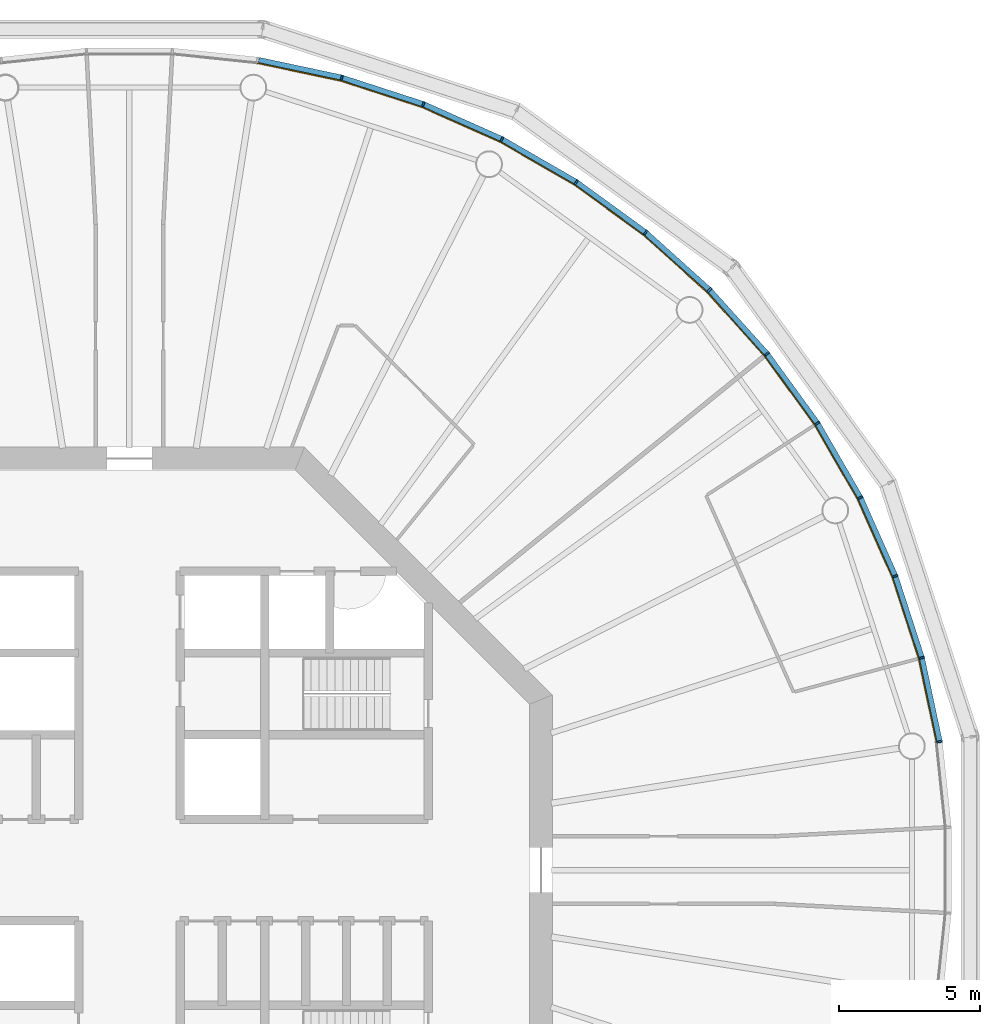
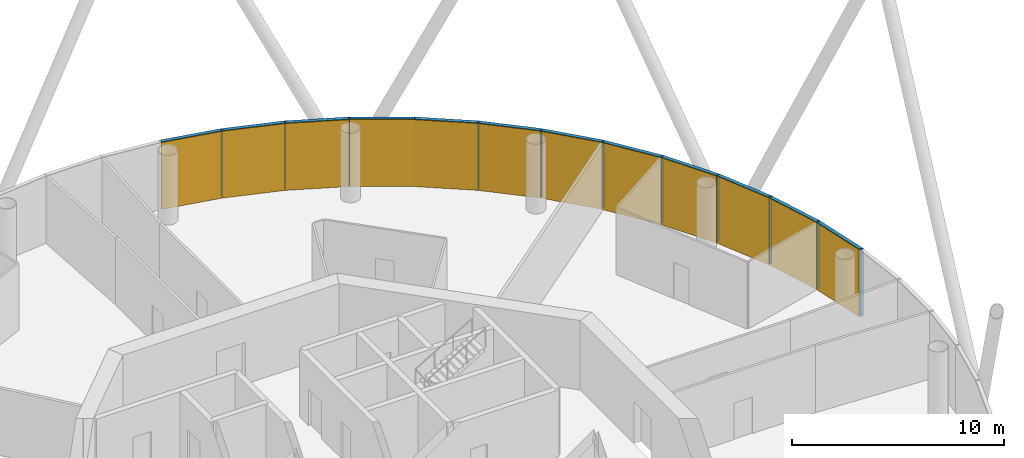
# One storey, part 12 of 13: 24 members, 4 curtain walls.
"""IFC4 building model written with IfcOpenShell, lengths in metres."""

from ifc_helpers import new_model, si_unit, direction, frame, origin, origin_2d, place, context, subcontext, project, spatial, polyline, rectangle, outline, extrude, material, layer, layer_set, material_profile, profile_set, type_object, element, aggregate, save


model = new_model("IFC4")

# Units and contexts
model_context = context("Model", 3, precision=1e-05, world=origin(), true_north=direction((0.0, 1.0)))
body_context = subcontext(model_context, "Body", "Model", "MODEL_VIEW")
ifc_project = project(units=[si_unit("LENGTHUNIT", "METRE"), si_unit("AREAUNIT", "SQUARE_METRE"), si_unit("VOLUMEUNIT", "CUBIC_METRE"), si_unit("PLANEANGLEUNIT", "RADIAN"), si_unit("MASSUNIT", "GRAM", prefix="KILO")], contexts=[model_context])

# Member
ifc_material_1 = material(Name="Anodised aluminium", Category="aluminium")
ifc_material_profile_1 = material_profile(ifc_material_1, rectangle(XDim=0.06494140625, YDim=0.195068359375, at=origin_2d()), Name="Mullion 65 x 195 mm anodised aluminium")
ifc_profile_set_1 = profile_set([ifc_material_profile_1], Name="Anodised aluminium")
member_type_1 = type_object("IfcMemberType", Name="Mullion 65 x 195 mm anodised aluminium", PredefinedType="MULLION", material=ifc_profile_set_1)
site_placement = place(None, origin())
building_placement = place(site_placement, origin())
storey_placement = place(building_placement, frame((0.0, 0.0, 310.0)))
member_1_placement = place(storey_placement, frame((118.7392578125, 84.5517578125, 0.0), z_axis=(0.0, 0.0, 1.0), x_axis=(-0.15643446504, 0.987688340595, 0.0)))
member_1 = element("IfcMember", 1, at=member_1_placement, type_object=member_type_1, Name="MULLION L71-00", PredefinedType="MULLION", context=body_context, shape_type="SweptSolid", body=[
    extrude(rectangle(XDim=0.06494140625, YDim=0.195068359375, at=origin_2d()), origin(), (0.0, 0.0, 1.0), 3.85009765625),
])

member_2_placement = place(storey_placement, frame((118.10595703125, 87.531005859375, 0.0), z_axis=(0.0, 0.0, 1.0), x_axis=(-0.258819045103, 0.965925826289, 0.0)))
member_2 = element("IfcMember", 2, at=member_2_placement, type_object=member_type_1, Name="MULLION L71-01", PredefinedType="MULLION", context=body_context, shape_type="SweptSolid", body=[
    extrude(rectangle(XDim=0.06494140625, YDim=0.195068359375, at=origin_2d()), origin(), (0.0, 0.0, 1.0), 3.85009765625),
])

member_3_placement = place(storey_placement, frame((117.164794921875, 90.427490234375, 0.0), z_axis=(0.0, 0.0, 1.0), x_axis=(-0.358367949545, 0.933580426497, 0.0)))
member_3 = element("IfcMember", 3, at=member_3_placement, type_object=member_type_1, Name="MULLION L71-02", PredefinedType="MULLION", context=body_context, shape_type="SweptSolid", body=[
    extrude(rectangle(XDim=0.06494140625, YDim=0.195068359375, at=origin_2d()), origin(), (0.0, 0.0, 1.0), 3.85009765625),
])

member_4_placement = place(storey_placement, frame((115.926025390625, 93.2099609375, 0.0), z_axis=(0.0, 0.0, 1.0), x_axis=(-0.45399049974, 0.891006524188, 0.0)))
member_4 = element("IfcMember", 4, at=member_4_placement, type_object=member_type_1, Name="MULLION L71-03", PredefinedType="MULLION", context=body_context, shape_type="SweptSolid", body=[
    extrude(rectangle(XDim=0.06494140625, YDim=0.195068359375, at=origin_2d()), origin(), (0.0, 0.0, 1.0), 3.85009765625),
])

member_5_placement = place(storey_placement, frame((114.4033203125, 95.84765625, 0.0), z_axis=(0.0, 0.0, 1.0), x_axis=(-0.544639035015, 0.838670567945, 0.0)))
member_5 = element("IfcMember", 5, at=member_5_placement, type_object=member_type_1, Name="MULLION L71-04", PredefinedType="MULLION", context=body_context, shape_type="SweptSolid", body=[
    extrude(rectangle(XDim=0.06494140625, YDim=0.195068359375, at=origin_2d()), origin(), (0.0, 0.0, 1.0), 3.85009765625),
])

member_6_placement = place(storey_placement, frame((112.613037109375, 98.311767578125, 0.0), z_axis=(0.0, 0.0, 1.0), x_axis=(-0.62932039105, 0.777145961457, 0.0)))
member_6 = element("IfcMember", 6, at=member_6_placement, type_object=member_type_1, Name="MULLION L71-05", PredefinedType="MULLION", context=body_context, shape_type="SweptSolid", body=[
    extrude(rectangle(XDim=0.06494140625, YDim=0.195068359375, at=origin_2d()), origin(), (0.0, 0.0, 1.0), 3.85009765625),
])

member_7_placement = place(storey_placement, frame((110.574951171875, 100.574951171875, 0.0), z_axis=(0.0, 0.0, 1.0), x_axis=(-0.707106781187, 0.707106781187, 0.0)))
member_7 = element("IfcMember", 7, at=member_7_placement, type_object=member_type_1, Name="MULLION L71-06", PredefinedType="MULLION", context=body_context, shape_type="SweptSolid", body=[
    extrude(rectangle(XDim=0.06494140625, YDim=0.195068359375, at=origin_2d()), origin(), (0.0, 0.0, 1.0), 3.85009765625),
])

member_8_placement = place(storey_placement, frame((108.311767578125, 102.613037109375, 0.0), z_axis=(0.0, 0.0, 1.0), x_axis=(-0.777145961457, 0.62932039105, 0.0)))
member_8 = element("IfcMember", 8, at=member_8_placement, type_object=member_type_1, Name="MULLION L71-07", PredefinedType="MULLION", context=body_context, shape_type="SweptSolid", body=[
    extrude(rectangle(XDim=0.06494140625, YDim=0.195068359375, at=origin_2d()), origin(), (0.0, 0.0, 1.0), 3.85009765625),
])

member_9_placement = place(storey_placement, frame((105.84765625, 104.4033203125, 0.0), z_axis=(0.0, 0.0, 1.0), x_axis=(-0.838670567945, 0.544639035015, 0.0)))
member_9 = element("IfcMember", 9, at=member_9_placement, type_object=member_type_1, Name="MULLION L71-08", PredefinedType="MULLION", context=body_context, shape_type="SweptSolid", body=[
    extrude(rectangle(XDim=0.06494140625, YDim=0.195068359375, at=origin_2d()), origin(), (0.0, 0.0, 1.0), 3.85009765625),
])

member_10_placement = place(storey_placement, frame((103.2099609375, 105.926025390625, 0.0), z_axis=(0.0, 0.0, 1.0), x_axis=(-0.891006524188, 0.45399049974, 0.0)))
member_10 = element("IfcMember", 10, at=member_10_placement, type_object=member_type_1, Name="MULLION L71-09", PredefinedType="MULLION", context=body_context, shape_type="SweptSolid", body=[
    extrude(rectangle(XDim=0.06494140625, YDim=0.195068359375, at=origin_2d()), origin(), (0.0, 0.0, 1.0), 3.85009765625),
])

member_11_placement = place(storey_placement, frame((100.427490234375, 107.164794921875, 0.0), z_axis=(0.0, 0.0, 1.0), x_axis=(-0.933580426497, 0.358367949545, 0.0)))
member_11 = element("IfcMember", 11, at=member_11_placement, type_object=member_type_1, Name="MULLION L71-10", PredefinedType="MULLION", context=body_context, shape_type="SweptSolid", body=[
    extrude(rectangle(XDim=0.06494140625, YDim=0.195068359375, at=origin_2d()), origin(), (0.0, 0.0, 1.0), 3.85009765625),
])

member_12_placement = place(storey_placement, frame((97.531005859375, 108.10595703125, 0.0), z_axis=(0.0, 0.0, 1.0), x_axis=(-0.965925826289, 0.258819045103, 0.0)))
member_12 = element("IfcMember", 12, at=member_12_placement, type_object=member_type_1, Name="MULLION L71-11", PredefinedType="MULLION", context=body_context, shape_type="SweptSolid", body=[
    extrude(rectangle(XDim=0.06494140625, YDim=0.195068359375, at=origin_2d()), origin(), (0.0, 0.0, 1.0), 3.85009765625),
])

ifc_material_2 = material(Name="Anodised aluminium", Category="aluminium")
ifc_material_profile_2 = material_profile(ifc_material_2, rectangle(XDim=0.195068359375, YDim=0.179931640625, at=origin_2d()), Name="Transom 180 x 195 mm anodised aluminium")
ifc_profile_set_2 = profile_set([ifc_material_profile_2], Name="Anodised aluminium")
member_type_2 = type_object("IfcMemberType", Name="Transom 180 x 195 mm anodised aluminium", PredefinedType="USERDEFINED", material=ifc_profile_set_2)
member_13_placement = place(storey_placement, frame((118.731689453125, 84.588623046875, 3.760009765625), z_axis=(-0.207940342877, 0.978141510112, 0.0), x_axis=(-0.978141510112, -0.207940342877, 0.0)))
member_13 = element("IfcMember", 13, at=member_13_placement, type_object=member_type_2, Name="TRANSOM L71-00", ObjectType="TRANSOM", PredefinedType="USERDEFINED", context=body_context, shape_type="SweptSolid", body=[
    extrude(rectangle(XDim=0.195068359375, YDim=0.179931640625, at=origin_2d()), origin(), (0.0, 0.0, 1.0), 2.970458984375),
])

member_14_placement = place(storey_placement, frame((118.094482421875, 87.56689453125, 3.760009765625), z_axis=(-0.309043326415, 0.951047960094, 0.0), x_axis=(-0.951047960094, -0.309043326415, 0.0)))
member_14 = element("IfcMember", 14, at=member_14_placement, type_object=member_type_2, Name="TRANSOM L71-01", ObjectType="TRANSOM", PredefinedType="USERDEFINED", context=body_context, shape_type="SweptSolid", body=[
    extrude(rectangle(XDim=0.195068359375, YDim=0.179931640625, at=origin_2d()), origin(), (0.0, 0.0, 1.0), 2.970458984375),
])

member_15_placement = place(storey_placement, frame((117.149658203125, 90.4619140625, 3.760009765625), z_axis=(-0.406725527369, 0.913550406593, 0.0), x_axis=(-0.913550406593, -0.406725527369, 0.0)))
member_15 = element("IfcMember", 15, at=member_15_placement, type_object=member_type_2, Name="TRANSOM L71-02", ObjectType="TRANSOM", PredefinedType="USERDEFINED", context=body_context, shape_type="SweptSolid", body=[
    extrude(rectangle(XDim=0.195068359375, YDim=0.179931640625, at=origin_2d()), origin(), (0.0, 0.0, 1.0), 2.970703125),
])

member_16_placement = place(storey_placement, frame((115.907470703125, 93.24267578125, 3.760009765625), z_axis=(-0.500028367561, 0.866009025146, 0.0), x_axis=(-0.866009025146, -0.500028367561, 0.0)))
member_16 = element("IfcMember", 16, at=member_16_placement, type_object=member_type_2, Name="TRANSOM L71-03", ObjectType="TRANSOM", PredefinedType="USERDEFINED", context=body_context, shape_type="SweptSolid", body=[
    extrude(rectangle(XDim=0.195068359375, YDim=0.179931640625, at=origin_2d()), origin(), (0.0, 0.0, 1.0), 2.970458984375),
])

member_17_placement = place(storey_placement, frame((114.381103515625, 95.878173828125, 3.760009765625), z_axis=(-0.587765987476, 0.809030990733, 0.0), x_axis=(-0.809030990733, -0.587765987476, 0.0)))
member_17 = element("IfcMember", 17, at=member_17_placement, type_object=member_type_2, Name="TRANSOM L71-04", ObjectType="TRANSOM", PredefinedType="USERDEFINED", context=body_context, shape_type="SweptSolid", body=[
    extrude(rectangle(XDim=0.195068359375, YDim=0.179931640625, at=origin_2d()), origin(), (0.0, 0.0, 1.0), 2.97021484375),
])

member_18_placement = place(storey_placement, frame((112.587890625, 98.339599609375, 3.760009765625), z_axis=(-0.669110027395, 0.743163354343, 0.0), x_axis=(-0.743163354343, -0.669110027395, 0.0)))
member_18 = element("IfcMember", 18, at=member_18_placement, type_object=member_type_2, Name="TRANSOM L71-05", ObjectType="TRANSOM", PredefinedType="USERDEFINED", context=body_context, shape_type="SweptSolid", body=[
    extrude(rectangle(XDim=0.195068359375, YDim=0.179931640625, at=origin_2d()), origin(), (0.0, 0.0, 1.0), 2.970458984375),
])

member_19_placement = place(storey_placement, frame((110.547119140625, 100.600341796875, 3.760009765625), z_axis=(-0.743163354343, 0.669110027395, 0.0), x_axis=(-0.669110027395, -0.743163354343, 0.0)))
member_19 = element("IfcMember", 19, at=member_19_placement, type_object=member_type_2, Name="TRANSOM L71-06", ObjectType="TRANSOM", PredefinedType="USERDEFINED", context=body_context, shape_type="SweptSolid", body=[
    extrude(rectangle(XDim=0.195068359375, YDim=0.179931640625, at=origin_2d()), origin(), (0.0, 0.0, 1.0), 2.970458984375),
])

member_20_placement = place(storey_placement, frame((108.28125, 102.63525390625, 3.760009765625), z_axis=(-0.809030990733, 0.587765987476, 0.0), x_axis=(-0.587765987476, -0.809030990733, 0.0)))
member_20 = element("IfcMember", 20, at=member_20_placement, type_object=member_type_2, Name="TRANSOM L71-07", ObjectType="TRANSOM", PredefinedType="USERDEFINED", context=body_context, shape_type="SweptSolid", body=[
    extrude(rectangle(XDim=0.195068359375, YDim=0.179931640625, at=origin_2d()), origin(), (0.0, 0.0, 1.0), 2.97021484375),
])

member_21_placement = place(storey_placement, frame((105.815185546875, 104.422119140625, 3.760009765625), z_axis=(-0.866009025146, 0.500028367561, 0.0), x_axis=(-0.500028367561, -0.866009025146, 0.0)))
member_21 = element("IfcMember", 21, at=member_21_placement, type_object=member_type_2, Name="TRANSOM L71-08", ObjectType="TRANSOM", PredefinedType="USERDEFINED", context=body_context, shape_type="SweptSolid", body=[
    extrude(rectangle(XDim=0.195068359375, YDim=0.179931640625, at=origin_2d()), origin(), (0.0, 0.0, 1.0), 2.970458984375),
])

member_22_placement = place(storey_placement, frame((103.17578125, 105.94140625, 3.760009765625), z_axis=(-0.913550406593, 0.406725527369, 0.0), x_axis=(-0.406725527369, -0.913550406593, 0.0)))
member_22 = element("IfcMember", 22, at=member_22_placement, type_object=member_type_2, Name="TRANSOM L71-09", ObjectType="TRANSOM", PredefinedType="USERDEFINED", context=body_context, shape_type="SweptSolid", body=[
    extrude(rectangle(XDim=0.195068359375, YDim=0.179931640625, at=origin_2d()), origin(), (0.0, 0.0, 1.0), 2.970703125),
])

member_23_placement = place(storey_placement, frame((100.391845703125, 107.176513671875, 3.760009765625), z_axis=(-0.951047960094, 0.309043326415, 0.0), x_axis=(-0.309043326415, -0.951047960094, 0.0)))
member_23 = element("IfcMember", 23, at=member_23_placement, type_object=member_type_2, Name="TRANSOM L71-10", ObjectType="TRANSOM", PredefinedType="USERDEFINED", context=body_context, shape_type="SweptSolid", body=[
    extrude(rectangle(XDim=0.195068359375, YDim=0.179931640625, at=origin_2d()), origin(), (0.0, 0.0, 1.0), 2.970458984375),
])

member_24_placement = place(storey_placement, frame((97.494140625, 108.114013671875, 3.760009765625), z_axis=(-0.978141510112, 0.207940342877, 0.0), x_axis=(-0.207940342877, -0.978141510112, 0.0)))
member_24 = element("IfcMember", 24, at=member_24_placement, type_object=member_type_2, Name="TRANSOM L71-11", ObjectType="TRANSOM", PredefinedType="USERDEFINED", context=body_context, shape_type="SweptSolid", body=[
    extrude(rectangle(XDim=0.195068359375, YDim=0.179931640625, at=origin_2d()), origin(), (0.0, 0.0, 1.0), 2.970458984375),
])

# Site, building, storey
site = spatial("IfcSite", under=ifc_project, at=site_placement, CompositionType="ELEMENT")
building = spatial("IfcBuilding", under=site, at=building_placement, Name="Entoto Ring Tower", CompositionType="ELEMENT")
storey = spatial("IfcBuildingStorey", under=building, at=storey_placement, Name="L71", CompositionType="ELEMENT", Elevation=310.0)

# Curtain wall
ifc_material_3 = material(Name="Clear low-iron glass", Category="glass")
ifc_layer = layer(ifc_material_3, 0.033935546875)
ifc_layer_set = layer_set([ifc_layer], Name="Clear low-iron glass")
curtain_wall_type = type_object("IfcCurtainWallType", Name="Curtain wall system CW5 glazing 34 mm", PredefinedType="NOTDEFINED", material=ifc_layer_set)
curtain_wall_1_placement = place(storey_placement, origin())
curtain_wall_1 = element("IfcCurtainWall", 25, at=curtain_wall_1_placement, inside=storey, type_object=curtain_wall_type, Name="CW5 L71-01", PredefinedType="NOTDEFINED", context=body_context, shape_type="SweptSolid", body=[
    extrude(outline(polyline([(118.64306640625, 84.53662109375), (118.011962890625, 87.505859375), (117.07373046875, 90.392578125), (115.839111328125, 93.165771484375), (115.808837890625, 93.150146484375), (117.0419921875, 90.38037109375), (117.97900390625, 87.496826171875), (118.609375, 84.53125), (118.64306640625, 84.53662109375)])), origin(), (0.0, 0.0, 1.0), 3.85009765625),
])

aggregate(curtain_wall_1, [member_1, member_2, member_3, member_13, member_14, member_15])

curtain_wall_2_placement = place(storey_placement, origin())
curtain_wall_2 = element("IfcCurtainWall", 26, at=curtain_wall_2_placement, inside=storey, type_object=curtain_wall_type, Name="CW5 L71-02", PredefinedType="NOTDEFINED", context=body_context, shape_type="SweptSolid", body=[
    extrude(outline(polyline([(115.839111328125, 93.165771484375), (114.321533203125, 95.79443359375), (112.537353515625, 98.250244140625), (110.506103515625, 100.506103515625), (110.48193359375, 100.48193359375), (112.5107421875, 98.228759765625), (114.29296875, 95.77587890625), (115.808837890625, 93.150146484375), (115.839111328125, 93.165771484375)])), origin(), (0.0, 0.0, 1.0), 3.85009765625),
])

aggregate(curtain_wall_2, [member_4, member_5, member_6, member_16, member_17, member_18])

curtain_wall_3_placement = place(storey_placement, origin())
curtain_wall_3 = element("IfcCurtainWall", 27, at=curtain_wall_3_placement, inside=storey, type_object=curtain_wall_type, Name="CW5 L71-03", PredefinedType="NOTDEFINED", context=body_context, shape_type="SweptSolid", body=[
    extrude(outline(polyline([(110.506103515625, 100.506103515625), (108.250244140625, 102.537353515625), (105.79443359375, 104.321533203125), (103.165771484375, 105.839111328125), (103.150146484375, 105.808837890625), (105.77587890625, 104.29296875), (108.228759765625, 102.5107421875), (110.48193359375, 100.48193359375), (110.506103515625, 100.506103515625)])), origin(), (0.0, 0.0, 1.0), 3.85009765625),
])

aggregate(curtain_wall_3, [member_7, member_8, member_9, member_19, member_20, member_21])

curtain_wall_4_placement = place(storey_placement, origin())
curtain_wall_4 = element("IfcCurtainWall", 28, at=curtain_wall_4_placement, inside=storey, type_object=curtain_wall_type, Name="CW5 L71-04", PredefinedType="NOTDEFINED", context=body_context, shape_type="SweptSolid", body=[
    extrude(outline(polyline([(103.165771484375, 105.839111328125), (100.392578125, 107.07373046875), (97.505859375, 108.011962890625), (94.53662109375, 108.64306640625), (94.53125, 108.609375), (97.496826171875, 107.97900390625), (100.38037109375, 107.0419921875), (103.150146484375, 105.808837890625), (103.165771484375, 105.839111328125)])), origin(), (0.0, 0.0, 1.0), 3.85009765625),
])

aggregate(curtain_wall_4, [member_10, member_11, member_12, member_22, member_23, member_24])

save(model, "model.ifc")
